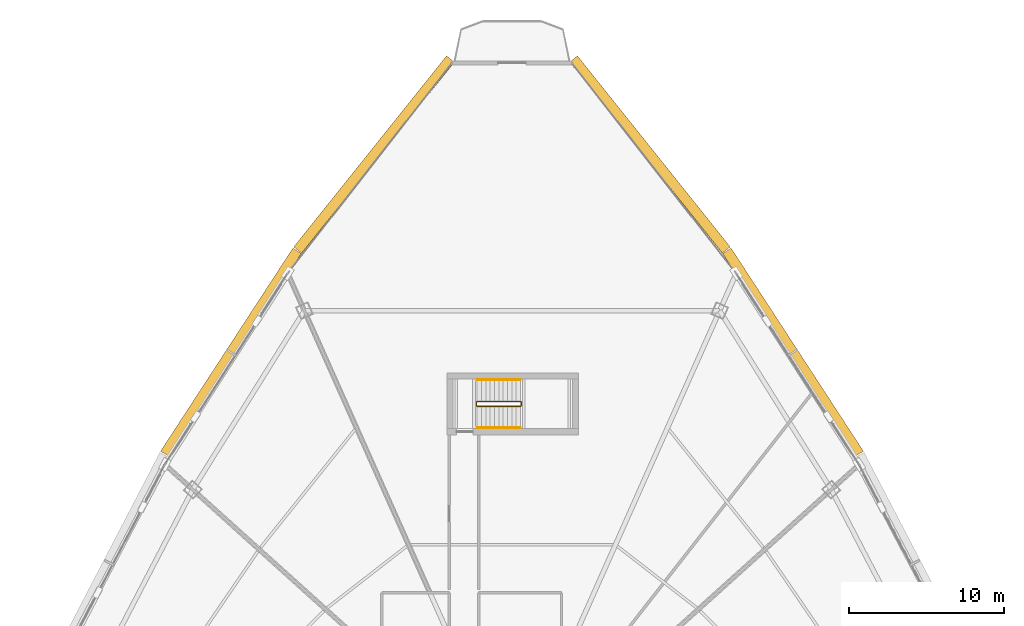
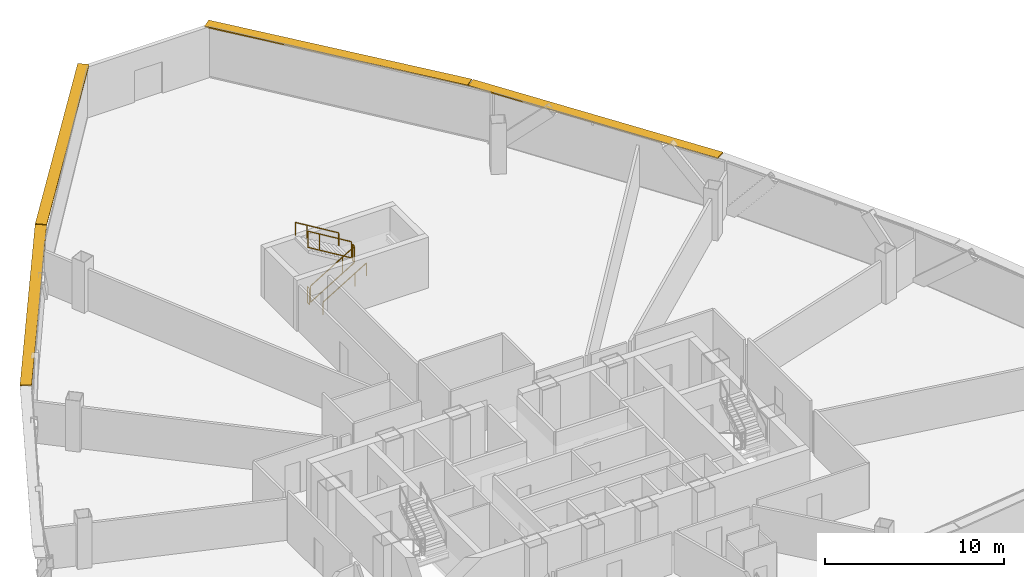
# One storey, part 36 of 37: 6 railings, 4 shading devices.
"""IFC4 building model written with IfcOpenShell, lengths in metres."""

from ifc_helpers import new_model, si_unit, direction, frame, origin, origin_2d, place, context, subcontext, project, spatial, rectangle, extrude, source, transform, mapped, material, layer, layer_set, type_object, element, save


model = new_model("IFC4")

# Units and contexts
model_context = context("Model", 3, precision=1e-05, world=origin(), true_north=direction((0.0, 1.0)))
body_context = subcontext(model_context, "Body", "Model", "MODEL_VIEW")
ifc_project = project(units=[si_unit("LENGTHUNIT", "METRE"), si_unit("AREAUNIT", "SQUARE_METRE"), si_unit("VOLUMEUNIT", "CUBIC_METRE"), si_unit("PLANEANGLEUNIT", "RADIAN"), si_unit("MASSUNIT", "GRAM", prefix="KILO"), si_unit("THERMODYNAMICTEMPERATUREUNIT", "KELVIN"), si_unit("POWERUNIT", "WATT")], contexts=[model_context])

# Site, building, storey
site_placement = place(None, origin())
site = spatial("IfcSite", under=ifc_project, at=site_placement, CompositionType="ELEMENT")
building_placement = place(site_placement, origin())
building = spatial("IfcBuilding", under=site, at=building_placement, Name="Yunzhuo Pagoda Commons", CompositionType="ELEMENT")
storey_placement = place(building_placement, frame((0.0, 0.0, 240.800048828125)))
storey = spatial("IfcBuildingStorey", under=building, at=storey_placement, Name="L60", CompositionType="ELEMENT", Elevation=240.800048828125)

# Railings
ifc_material = material(Name="Anodized aluminium 6063-T6", Category="aluminium")
railing_type_1 = type_object("IfcRailingType", Name="GR-ST3 North Well Guardrail 1155", PredefinedType="GUARDRAIL", material=ifc_material)
railing_1_placement = place(storey_placement, frame((45.75, 57.64990234375, 0.16943359375)))
element("IfcRailing", 1, at=railing_1_placement, inside=storey, type_object=railing_type_1, Name="L60 ST3 stair guard 1", PredefinedType="GUARDRAIL", context=body_context, shape_type="SweptSolid", body=[
    extrude(rectangle(XDim=0.048095703125, YDim=0.048095703125, at=origin_2d()), frame((0.0, 0.0, 1.1259765625), z_axis=(0.855393119324, 0.0, 0.517979354234), x_axis=(0.0, 1.0, 0.0)), (0.0, 0.0, 1.0), 3.2734375),
    extrude(rectangle(XDim=0.048095703125, YDim=0.048095703125, at=origin_2d()), frame((0.0, 0.0, 0.02392578125), z_axis=(0.855393119324, 0.0, 0.517979354234), x_axis=(0.0, 1.0, 0.0)), (0.0, 0.0, 1.0), 3.2734375),
    extrude(rectangle(XDim=0.0419921875, YDim=0.0419921875, at=origin_2d()), origin(), (0.0, 0.0, 1.0), 1.101806640625),
    extrude(rectangle(XDim=0.0419921875, YDim=0.0419921875, at=origin_2d()), frame((2.052978515625, 0.0, 1.2431640625)), (0.0, 0.0, 1.0), 1.101806640625),
    extrude(rectangle(XDim=0.0419921875, YDim=0.0419921875, at=origin_2d()), frame((2.800048828125, 0.0, 1.695556640625)), (0.0, 0.0, 1.0), 1.101806640625),
])
railing_2_placement = place(storey_placement, frame((48.60009765625, 57.699951171875, 1.864990234375)))
element("IfcRailing", 2, at=railing_2_placement, inside=storey, type_object=railing_type_1, Name="L60 ST3 stair guard 2", PredefinedType="GUARDRAIL", context=body_context, shape_type="SweptSolid", body=[
    extrude(rectangle(XDim=0.048095703125, YDim=0.048095703125, at=origin_2d()), frame((0.0, 0.0, 1.1259765625), z_axis=(0.0, 1.0, 0.0), x_axis=(-1.0, 0.0, 0.0)), (0.0, 0.0, 1.0), 0.199951171875),
    extrude(rectangle(XDim=0.048095703125, YDim=0.048095703125, at=origin_2d()), frame((0.0, 0.0, 0.02392578125), z_axis=(0.0, 1.0, 0.0), x_axis=(-1.0, 0.0, 0.0)), (0.0, 0.0, 1.0), 0.199951171875),
    extrude(rectangle(XDim=0.0419921875, YDim=0.0419921875, at=origin_2d()), origin(), (0.0, 0.0, 1.0), 1.101806640625),
    extrude(rectangle(XDim=0.0419921875, YDim=0.0419921875, at=origin_2d()), frame((0.0, 0.199951171875, 0.0)), (0.0, 0.0, 1.0), 1.101806640625),
])
railing_3_placement = place(storey_placement, frame((48.550048828125, 57.949951171875, 2.034423828125)))
element("IfcRailing", 3, at=railing_3_placement, inside=storey, type_object=railing_type_1, Name="L60 ST3 stair guard 3", PredefinedType="GUARDRAIL", context=body_context, shape_type="SweptSolid", body=[
    extrude(rectangle(XDim=0.048095703125, YDim=0.048095703125, at=origin_2d()), frame((0.0, 0.0, 1.1259765625), z_axis=(-0.855393119324, 0.0, 0.517979354234), x_axis=(0.0, -1.0, 0.0)), (0.0, 0.0, 1.0), 3.2734375),
    extrude(rectangle(XDim=0.048095703125, YDim=0.048095703125, at=origin_2d()), frame((0.0, 0.0, 0.02392578125), z_axis=(-0.855393119324, 0.0, 0.517979354234), x_axis=(0.0, -1.0, 0.0)), (0.0, 0.0, 1.0), 3.2734375),
    extrude(rectangle(XDim=0.0419921875, YDim=0.0419921875, at=origin_2d()), origin(), (0.0, 0.0, 1.0), 1.101806640625),
    extrude(rectangle(XDim=0.0419921875, YDim=0.0419921875, at=origin_2d()), frame((-2.052978515625, 0.0, 1.2431640625)), (0.0, 0.0, 1.0), 1.101806640625),
    extrude(rectangle(XDim=0.0419921875, YDim=0.0419921875, at=origin_2d()), frame((-2.800048828125, 0.0, 1.695556640625)), (0.0, 0.0, 1.0), 1.101806640625),
])
railing_4_placement = place(storey_placement, frame((45.699951171875, 57.699951171875, 0.0)))
element("IfcRailing", 4, at=railing_4_placement, inside=storey, type_object=railing_type_1, Name="L60 ST3 stair guard 4", PredefinedType="GUARDRAIL", context=body_context, shape_type="SweptSolid", body=[
    extrude(rectangle(XDim=0.048095703125, YDim=0.048095703125, at=origin_2d()), frame((0.0, 0.0, 1.1259765625), z_axis=(0.0, 1.0, 0.0), x_axis=(-1.0, 0.0, 0.0)), (0.0, 0.0, 1.0), 0.199951171875),
    extrude(rectangle(XDim=0.048095703125, YDim=0.048095703125, at=origin_2d()), frame((0.0, 0.0, 0.02392578125), z_axis=(0.0, 1.0, 0.0), x_axis=(-1.0, 0.0, 0.0)), (0.0, 0.0, 1.0), 0.199951171875),
    extrude(rectangle(XDim=0.0419921875, YDim=0.0419921875, at=origin_2d()), origin(), (0.0, 0.0, 1.0), 1.101806640625),
    extrude(rectangle(XDim=0.0419921875, YDim=0.0419921875, at=origin_2d()), frame((0.0, 0.199951171875, 0.0)), (0.0, 0.0, 1.0), 1.101806640625),
])
railing_type_2 = type_object("IfcRailingType", Name="HR-ST3 North Stair Handrail 900", PredefinedType="HANDRAIL", material=ifc_material)
railing_5_placement = place(storey_placement, frame((45.75, 56.25, 0.16943359375)))
element("IfcRailing", 5, at=railing_5_placement, inside=storey, type_object=railing_type_2, Name="L60 ST3 stair handrail 1", PredefinedType="HANDRAIL", context=body_context, shape_type="SweptSolid", body=[
    extrude(rectangle(XDim=0.048095703125, YDim=0.048095703125, at=origin_2d()), frame((0.0, 0.0, 0.8759765625), z_axis=(0.855393119324, 0.0, 0.517979354234), x_axis=(0.0, 1.0, 0.0)), (0.0, 0.0, 1.0), 3.2734375),
    extrude(rectangle(XDim=0.0419921875, YDim=0.0419921875, at=origin_2d()), origin(), (0.0, 0.0, 1.0), 0.851806640625),
    extrude(rectangle(XDim=0.0419921875, YDim=0.0419921875, at=origin_2d()), frame((2.052978515625, 0.0, 1.2431640625)), (0.0, 0.0, 1.0), 0.851806640625),
    extrude(rectangle(XDim=0.0419921875, YDim=0.0419921875, at=origin_2d()), frame((2.800048828125, 0.0, 1.695556640625)), (0.0, 0.0, 1.0), 0.851806640625),
])
railing_6_placement = place(storey_placement, frame((48.550048828125, 59.35009765625, 2.034423828125)))
element("IfcRailing", 6, at=railing_6_placement, inside=storey, type_object=railing_type_2, Name="L60 ST3 stair handrail 2", PredefinedType="HANDRAIL", context=body_context, shape_type="SweptSolid", body=[
    extrude(rectangle(XDim=0.048095703125, YDim=0.048095703125, at=origin_2d()), frame((0.0, 0.0, 0.8759765625), z_axis=(-0.855393119324, 0.0, 0.517979354234), x_axis=(0.0, -1.0, 0.0)), (0.0, 0.0, 1.0), 3.2734375),
    extrude(rectangle(XDim=0.0419921875, YDim=0.0419921875, at=origin_2d()), origin(), (0.0, 0.0, 1.0), 0.851806640625),
    extrude(rectangle(XDim=0.0419921875, YDim=0.0419921875, at=origin_2d()), frame((-2.052978515625, 0.0, 1.2431640625)), (0.0, 0.0, 1.0), 0.851806640625),
    extrude(rectangle(XDim=0.0419921875, YDim=0.0419921875, at=origin_2d()), frame((-2.800048828125, 0.0, 1.695556640625)), (0.0, 0.0, 1.0), 0.851806640625),
])

# Shading devices
ifc_layer = layer(ifc_material, 0.080078125)
ifc_layer_set = layer_set([ifc_layer], Name="Anodized aluminium 6063-T6")
shading_device_type = type_object("IfcShadingDeviceType", Name="SH-SUN1 Pagoda Horizontal Sunshade Eave 650", PredefinedType="USERDEFINED", material=ifc_layer_set)
shared_shape_1 = source(origin(), body_context, "Body", "SweptSolid", [
    extrude(rectangle(XDim=15.79638671875, YDim=0.64990234375, at=origin_2d()), origin(), (0.0, 0.0, 1.0), 0.080078125),
])
for number, where, z_axis, x_axis, name in (
    (7, (56.906005859375, 73.8955078125, 3.389892578125), (0.0, 0.0, 1.0), (-0.624520471688, 0.781008438138, 0.0), "L60 horizontal pagoda sunshade eave F2.4"),
    (8, (39.093994140625, 73.8955078125, 3.389892578125), (0.0, 0.0, 1.0), (-0.624520471688, -0.781008438138, 0.0), "L60 horizontal pagoda sunshade eave F3.1"),
):
    element("IfcShadingDevice", number, at=place(storey_placement, frame(where, z_axis=z_axis, x_axis=x_axis)), inside=storey, type_object=shading_device_type, Name=name, ObjectType="SUNSHADE", PredefinedType="USERDEFINED", context=body_context, shape_type="MappedRepresentation", body=[
        mapped(shared_shape_1, transform((0.0, 0.0, 0.0), scale=1.0)),
    ])
shared_shape_2 = source(origin(), body_context, "Body", "SweptSolid", [
    extrude(rectangle(XDim=15.646484375, YDim=0.64990234375, at=origin_2d()), origin(), (0.0, 0.0, 1.0), 0.080078125),
])
for number, where, z_axis, x_axis, name in (
    (9, (66.14599609375, 61.12060546875, 3.389892578125), (0.0, 0.0, 1.0), (-0.545838756973, 0.837890238269, 0.0), "L60 horizontal pagoda sunshade eave F2.3"),
    (10, (29.85400390625, 61.12060546875, 3.389892578125), (0.0, 0.0, 1.0), (-0.545838756973, -0.837890238269, 0.0), "L60 horizontal pagoda sunshade eave F3.2"),
):
    element("IfcShadingDevice", number, at=place(storey_placement, frame(where, z_axis=z_axis, x_axis=x_axis)), inside=storey, type_object=shading_device_type, Name=name, ObjectType="SUNSHADE", PredefinedType="USERDEFINED", context=body_context, shape_type="MappedRepresentation", body=[
        mapped(shared_shape_2, transform((0.0, 0.0, 0.0), scale=1.0)),
    ])

save(model, "model.ifc")
